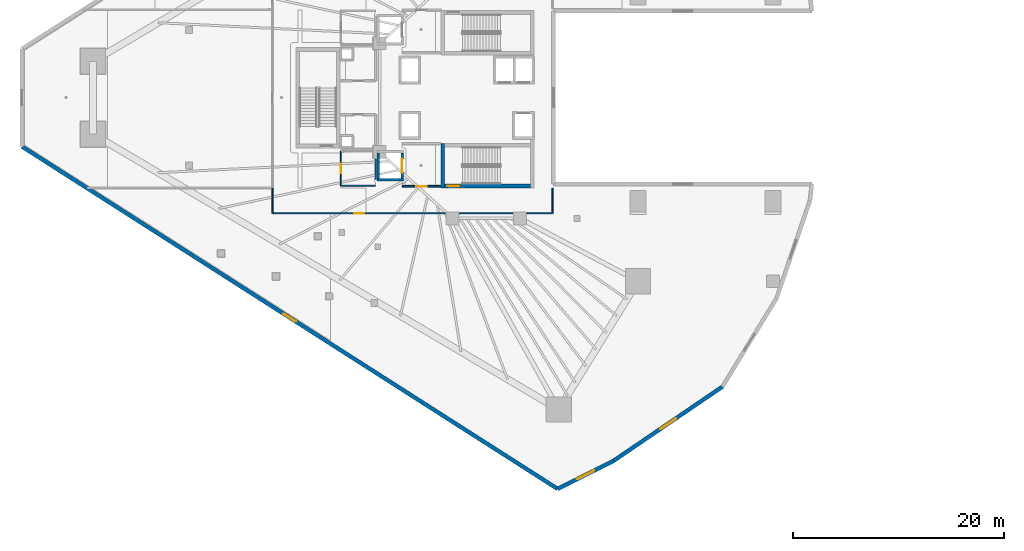
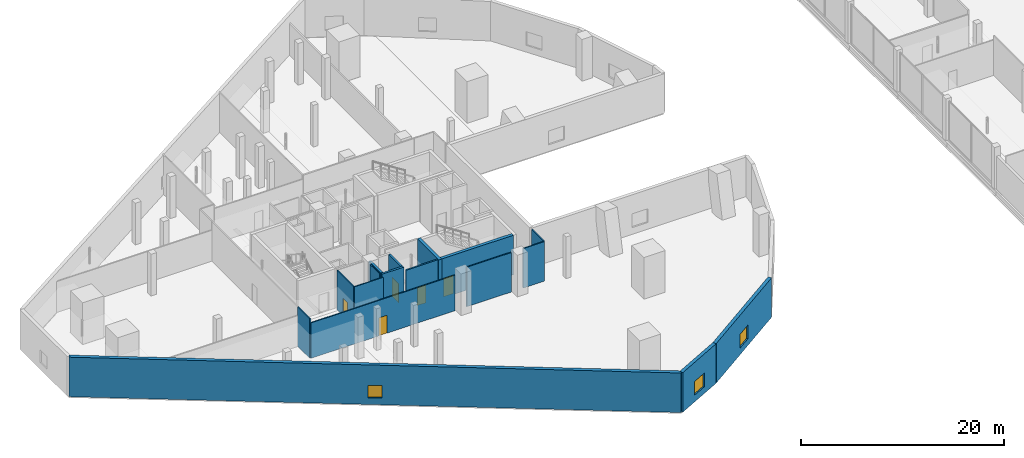
# One storey, part 26 of 46: 17 walls, 5 doors, 3 windows, 8 openings.
"""IFC4 building model written with IfcOpenShell, lengths in metres."""

from ifc_helpers import new_model, si_unit, direction, frame, frame_2d, origin, place, context, subcontext, project, spatial, rectangle, extrude, material, layer, layer_set, type_object, element, fill, save


model = new_model("IFC4")

# Units and contexts
model_context = context("Model", 3, precision=1e-05, world=origin(), true_north=direction((0.0, 1.0)))
body_context = subcontext(model_context, "Body", "Model", "MODEL_VIEW")
ifc_project = project(units=[si_unit("LENGTHUNIT", "METRE"), si_unit("AREAUNIT", "SQUARE_METRE"), si_unit("VOLUMEUNIT", "CUBIC_METRE"), si_unit("PLANEANGLEUNIT", "RADIAN"), si_unit("MASSUNIT", "GRAM", prefix="KILO")], contexts=[model_context])

# Site, building, storey
site_placement = place(None, origin())
site = spatial("IfcSite", under=ifc_project, at=site_placement, CompositionType="ELEMENT")
building_placement = place(site_placement, origin())
building = spatial("IfcBuilding", under=site, at=building_placement, Name="Qorvath Tower", CompositionType="ELEMENT")
storey_placement = place(building_placement, frame((0.0, 0.0, 17.0)))
storey = spatial("IfcBuildingStorey", under=building, at=storey_placement, Name="L03", CompositionType="ELEMENT", Elevation=17.0)

# Wall, opening, door
ifc_material_1 = material(Name="Gypsum shaftliner on steel studs", Category="steel")
ifc_layer_1 = layer(ifc_material_1, 0.179931640625)
ifc_layer_set_1 = layer_set([ifc_layer_1], Name="FW-LOBBY")
wall_type_1 = type_object("IfcWallType", Name="FW-LOBBY", PredefinedType="PARTITIONING", material=ifc_layer_set_1)
wall_1_placement = place(storey_placement, frame((-28.35498046875, -8.39990234375, 0.0), z_axis=(0.0, 0.0, 1.0), x_axis=(1.0, 0.0, 0.0)))
wall_1 = element("IfcWall", 1, at=wall_1_placement, inside=storey, type_object=wall_type_1, Name="Interior Partition IW-T1-L03-003", PredefinedType="PARTITIONING", context=body_context, shape_type="SweptSolid", body=[
    extrude(rectangle(XDim=3.6220703125, YDim=0.179931640625, at=frame_2d((1.81103515625, 0.0))), origin(), (0.0, 0.0, 1.0), 4.739990234375),
])
opening_1_placement = place(wall_1_placement, frame((1.31103515625, 0.0, 0.0)))
opening_1 = element("IfcOpeningElement", 2, at=opening_1_placement, cuts=wall_1, Name="Opening D-T1-L03-12", PredefinedType="OPENING", context=body_context, shape_type="SweptSolid", body=[
    extrude(rectangle(XDim=1.0, YDim=2.14990234375, at=frame_2d((0.5, 1.074951171875))), frame((0.0, 0.10009765625, 0.0), z_axis=(0.0, -1.0, 0.0), x_axis=(1.0, 0.0, 0.0)), (0.0, 0.0, 1.0), 0.199951171875),
])
ifc_material_2 = material(Name="Painted galvanised hollow metal", Category="steel")
door_type_1 = type_object("IfcDoorType", Name="FD-60", OperationType="NOTDEFINED", PredefinedType="DOOR", material=ifc_material_2)
door_1_placement = place(opening_1_placement, origin())
door_1 = element("IfcDoor", 3, at=door_1_placement, inside=storey, type_object=door_type_1, Name="Lobby Fire Service Elevator South Door D-T1-L03-12", OperationType="SINGLE_SWING_LEFT", OverallHeight=2.14990234375, OverallWidth=1.0, PredefinedType="DOOR", context=body_context, shape_type="SweptSolid", body=[
    extrude(rectangle(XDim=1.0, YDim=2.14990234375, at=frame_2d((0.5, 1.074951171875))), frame((0.0, 0.02490234375, 0.0), z_axis=(0.0, -1.0, 0.0), x_axis=(1.0, 0.0, 0.0)), (0.0, 0.0, 1.0), 0.050048828125),
])
fill(opening_1, door_1)

# Walls
ifc_material_3 = material(Name="Gypsum board on metal studs with mineral wool", Category="gypsum")
ifc_layer_2 = layer(ifc_material_3, 0.125)
ifc_layer_set_2 = layer_set([ifc_layer_2], Name="IW-PART-125")
wall_type_2 = type_object("IfcWallType", Name="IW-PART-125", PredefinedType="PARTITIONING", material=ifc_layer_set_2)
wall_2_placement = place(storey_placement, frame((-14.112060546875, -10.93310546875, 0.0), z_axis=(0.0, 0.0, 1.0), x_axis=(0.0, 1.0, 0.0)))
element("IfcWall", 4, at=wall_2_placement, inside=storey, type_object=wall_type_2, Name="Interior Partition IW-T1-L03-029", PredefinedType="PARTITIONING", context=body_context, shape_type="SweptSolid", body=[
    extrude(rectangle(XDim=2.358154296875, YDim=0.125, at=frame_2d((1.17919921875, 0.0))), origin(), (0.0, 0.0, 1.0), 4.739990234375),
])
wall_3_placement = place(storey_placement, frame((-14.13720703125, -10.9580078125, 0.0), z_axis=(0.0, 0.0, 1.0), x_axis=(-1.0, 0.0, 0.0)))
element("IfcWall", 5, at=wall_3_placement, inside=storey, type_object=wall_type_2, Name="Interior Partition IW-T1-L03-030", PredefinedType="PARTITIONING", context=body_context, shape_type="SweptSolid", body=[
    extrude(rectangle(XDim=2.397705078125, YDim=0.125, at=frame_2d((1.19873046875, 0.0))), origin(), (0.0, 0.0, 1.0), 4.739990234375),
])
wall_4_placement = place(storey_placement, frame((-17.864990234375, -10.9580078125, 0.0), z_axis=(0.0, 0.0, 1.0), x_axis=(-1.0, 0.0, 0.0)))
element("IfcWall", 6, at=wall_4_placement, inside=storey, type_object=wall_type_2, Name="Interior Partition IW-T1-L03-031", PredefinedType="PARTITIONING", context=body_context, shape_type="SweptSolid", body=[
    extrude(rectangle(XDim=5.070068359375, YDim=0.125, at=frame_2d((2.53515625, 0.0))), origin(), (0.0, 0.0, 1.0), 4.739990234375),
])

# Wall, opening, door
wall_5_placement = place(storey_placement, frame((-24.264892578125, -10.9580078125, 0.0), z_axis=(0.0, 0.0, 1.0), x_axis=(-1.0, 0.0, 0.0)))
wall_5 = element("IfcWall", 7, at=wall_5_placement, inside=storey, type_object=wall_type_2, Name="Interior Partition IW-T1-L03-032", PredefinedType="PARTITIONING", context=body_context, shape_type="SweptSolid", body=[
    extrude(rectangle(XDim=16.3681640625, YDim=0.125, at=frame_2d((8.18408203125, 0.0))), origin(), (0.0, 0.0, 1.0), 4.2529296875),
])
opening_2_placement = place(wall_5_placement, frame((7.708984375, 0.0, 0.0)))
opening_2 = element("IfcOpeningElement", 8, at=opening_2_placement, cuts=wall_5, Name="Opening D-T1-L03-09", PredefinedType="OPENING", context=body_context, shape_type="SweptSolid", body=[
    extrude(rectangle(XDim=0.949951171875, YDim=2.14990234375, at=frame_2d((0.47509765625, 1.074951171875))), frame((0.0, 0.072509765625, 0.0), z_axis=(0.0, -1.0, 0.0), x_axis=(1.0, 0.0, 0.0)), (0.0, 0.0, 1.0), 0.14501953125),
])
ifc_material_4 = material(Name="Solid-core American white oak veneer", Category="wood")
door_type_2 = type_object("IfcDoorType", Name="D-01", OperationType="NOTDEFINED", PredefinedType="DOOR", material=ifc_material_4)
door_2_placement = place(opening_2_placement, origin())
door_2 = element("IfcDoor", 9, at=door_2_placement, inside=storey, type_object=door_type_2, Name="L03-05 Design Pin-Up Atelier Door D-T1-L03-09", OperationType="SINGLE_SWING_RIGHT", OverallHeight=2.14990234375, OverallWidth=0.949951171875, PredefinedType="DOOR", context=body_context, shape_type="SweptSolid", body=[
    extrude(rectangle(XDim=0.949951171875, YDim=2.14990234375, at=frame_2d((0.47509765625, 1.074951171875))), frame((0.0, 0.02490234375, 0.0), z_axis=(0.0, -1.0, 0.0), x_axis=(1.0, 0.0, 0.0)), (0.0, 0.0, 1.0), 0.050048828125),
])
fill(opening_2, door_2)

# Walls
wall_6_placement = place(storey_placement, frame((-40.657958984375, -8.574951171875, 0.0), z_axis=(0.0, 0.0, 1.0), x_axis=(0.0, -1.0, 0.0)))
element("IfcWall", 10, at=wall_6_placement, inside=storey, type_object=wall_type_2, Name="Interior Partition IW-T1-L03-033", PredefinedType="PARTITIONING", context=body_context, shape_type="SweptSolid", body=[
    extrude(rectangle(XDim=2.358154296875, YDim=0.125, at=frame_2d((1.17919921875, 0.0))), origin(), (0.0, 0.0, 1.0), 4.739990234375),
])
ifc_material_5 = material(Name="Moisture-resistant cement board on metal studs", Category="gypsum")
ifc_layer_3 = layer(ifc_material_5, 0.110107421875)
ifc_layer_set_3 = layer_set([ifc_layer_3], Name="IW-WC-110")
wall_type_3 = type_object("IfcWallType", Name="IW-WC-110", PredefinedType="PARTITIONING", material=ifc_layer_set_3)
wall_7_placement = place(storey_placement, frame((-34.15478515625, -8.35009765625, 0.0), z_axis=(0.0, 0.0, 1.0), x_axis=(1.0, 0.0, 0.0)))
element("IfcWall", 11, at=wall_7_placement, inside=storey, type_object=wall_type_3, Name="Interior Partition IW-T1-L03-009", PredefinedType="PARTITIONING", context=body_context, shape_type="SweptSolid", body=[
    extrude(rectangle(XDim=3.25, YDim=0.110107421875, at=frame_2d((1.625, 0.0))), origin(), (0.0, 0.0, 1.0), 4.739990234375),
])
wall_8_placement = place(storey_placement, frame((-30.8798828125, -7.742919921875, 0.0), z_axis=(0.0, 0.0, 1.0), x_axis=(0.0, 1.0, 0.0)))
element("IfcWall", 12, at=wall_8_placement, inside=storey, type_object=wall_type_3, Name="Interior Partition IW-T1-L03-010", PredefinedType="PARTITIONING", context=body_context, shape_type="SweptSolid", body=[
    extrude(rectangle(XDim=1.927978515625, YDim=0.110107421875, at=frame_2d((0.9638671875, 0.0))), origin(), (0.0, 0.0, 1.0), 4.739990234375),
])

# Wall, opening, door
wall_9_placement = place(storey_placement, frame((-34.179931640625, -5.074951171875, 0.0), z_axis=(0.0, 0.0, 1.0), x_axis=(0.0, -1.0, 0.0)))
wall_9 = element("IfcWall", 13, at=wall_9_placement, inside=storey, type_object=wall_type_3, Name="Interior Partition IW-T1-L03-012", PredefinedType="PARTITIONING", context=body_context, shape_type="SweptSolid", body=[
    extrude(rectangle(XDim=3.250244140625, YDim=0.110107421875, at=frame_2d((1.625, 0.0))), origin(), (0.0, 0.0, 1.0), 4.739990234375),
])
opening_3_placement = place(wall_9_placement, frame((1.18505859375, 0.0, 0.0)))
opening_3 = element("IfcOpeningElement", 14, at=opening_3_placement, cuts=wall_9, Name="Opening D-T1-L03-02", PredefinedType="OPENING", context=body_context, shape_type="SweptSolid", body=[
    extrude(rectangle(XDim=0.8798828125, YDim=2.10009765625, at=frame_2d((0.43994140625, 1.050048828125))), frame((0.0, 0.06494140625, 0.0), z_axis=(0.0, -1.0, 0.0), x_axis=(1.0, 0.0, 0.0)), (0.0, 0.0, 1.0), 0.130126953125),
])
ifc_material_6 = material(Name="Solid-core oak with acoustic drop seal", Category="wood")
door_type_3 = type_object("IfcDoorType", Name="D-02", OperationType="NOTDEFINED", PredefinedType="DOOR", material=ifc_material_6)
door_3_placement = place(opening_3_placement, origin())
door_3 = element("IfcDoor", 15, at=door_3_placement, inside=storey, type_object=door_type_3, Name="Accessible WC South L03 Door D-T1-L03-02", OperationType="SINGLE_SWING_LEFT", OverallHeight=2.10009765625, OverallWidth=0.8798828125, PredefinedType="DOOR", context=body_context, shape_type="SweptSolid", body=[
    extrude(rectangle(XDim=0.8798828125, YDim=2.10009765625, at=frame_2d((0.43994140625, 1.050048828125))), frame((0.0, 0.02490234375, 0.0), z_axis=(0.0, -1.0, 0.0), x_axis=(1.0, 0.0, 0.0)), (0.0, 0.0, 1.0), 0.050048828125),
])
fill(opening_3, door_3)

# Walls
ifc_material_7 = material(Name="Concrete C60/75", Category="concrete")
ifc_layer_4 = layer(ifc_material_7, 0.260009765625)
ifc_layer_set_4 = layer_set([ifc_layer_4], Name="SW-SHAFT")
wall_type_4 = type_object("IfcWallType", Name="SW-SHAFT", PredefinedType="SHEAR", material=ifc_layer_set_4)
wall_10_placement = place(storey_placement, frame((-28.260009765625, -7.77001953125, 0.0), z_axis=(0.0, 0.0, 1.0), x_axis=(-1.0, 0.0, 0.0)))
element("IfcWall", 16, at=wall_10_placement, inside=storey, type_object=wall_type_4, Name="Hoistway Wall FSAE-2 L03 S", PredefinedType="SHEAR", context=body_context, shape_type="SweptSolid", body=[
    extrude(rectangle(XDim=2.47998046875, YDim=0.239990234375, at=frame_2d((1.239990234375, 0.0))), origin(), (0.0, 0.0, 1.0), 4.739990234375),
])
wall_11_placement = place(storey_placement, frame((-30.6201171875, -7.637939453125, 0.0), z_axis=(0.0, 0.0, 1.0), x_axis=(0.0, 1.0, 0.0)))
element("IfcWall", 17, at=wall_11_placement, inside=storey, type_object=wall_type_4, Name="Hoistway Wall FSAE-2 L03 W", PredefinedType="SHEAR", context=body_context, shape_type="SweptSolid", body=[
    extrude(rectangle(XDim=2.3759765625, YDim=0.239990234375, at=frame_2d((1.18798828125, 0.0))), origin(), (0.0, 0.0, 1.0), 4.739990234375),
])

# Wall, opening, door
wall_12_placement = place(storey_placement, frame((-28.3798828125, -5.261962890625, 0.0), z_axis=(0.0, 0.0, 1.0), x_axis=(0.0, -1.0, 0.0)))
wall_12 = element("IfcWall", 18, at=wall_12_placement, inside=storey, type_object=wall_type_4, Name="Hoistway Wall FSAE-2 L03 E", PredefinedType="SHEAR", context=body_context, shape_type="SweptSolid", body=[
    extrude(rectangle(XDim=2.3759765625, YDim=0.239990234375, at=frame_2d((1.18798828125, 0.0))), origin(), (0.0, 0.0, 1.0), 4.739990234375),
])
opening_4_placement = place(wall_12_placement, frame((0.5380859375, 0.0, 0.0)))
opening_4 = element("IfcOpeningElement", 19, at=opening_4_placement, cuts=wall_12, Name="Opening LD-FSAE-2-L03", PredefinedType="OPENING", context=body_context, shape_type="SweptSolid", body=[
    extrude(rectangle(XDim=1.300048828125, YDim=2.300048828125, at=frame_2d((0.64990234375, 1.14990234375))), frame((0.0, 0.1298828125, 0.0), z_axis=(0.0, -1.0, 0.0), x_axis=(1.0, 0.0, 0.0)), (0.0, 0.0, 1.0), 0.260009765625),
])
ifc_material_8 = material(Name="Brushed stainless steel AISI 316", Category="steel")
door_type_4 = type_object("IfcDoorType", Name="LD-02", OperationType="NOTDEFINED", PredefinedType="DOOR", material=ifc_material_8)
door_4_placement = place(opening_4_placement, origin())
door_4 = element("IfcDoor", 20, at=door_4_placement, inside=storey, type_object=door_type_4, Name="Elevator Landing Sliding Door LD-FSAE-2-L03", OperationType="DOUBLE_DOOR_SLIDING", OverallHeight=2.300048828125, OverallWidth=1.300048828125, PredefinedType="DOOR", context=body_context, shape_type="SweptSolid", body=[
    extrude(rectangle(XDim=1.300048828125, YDim=2.300048828125, at=frame_2d((0.64990234375, 1.14990234375))), frame((0.0, 0.02490234375, 0.0), z_axis=(0.0, -1.0, 0.0), x_axis=(1.0, 0.0, 0.0)), (0.0, 0.0, 1.0), 0.050048828125),
])
fill(opening_4, door_4)

# Wall
ifc_material_9 = material(Name="Concrete C60/75", Category="concrete")
ifc_layer_5 = layer(ifc_material_9, 0.35009765625)
ifc_layer_set_5 = layer_set([ifc_layer_5], Name="SW-STAIR")
wall_type_5 = type_object("IfcWallType", Name="SW-STAIR", PredefinedType="SHEAR", material=ifc_layer_set_5)
wall_13_placement = place(storey_placement, frame((-24.52490234375, -4.340087890625, 0.0), z_axis=(0.0, 0.0, 1.0), x_axis=(0.0, -1.0, 0.0)))
element("IfcWall", 21, at=wall_13_placement, inside=storey, type_object=wall_type_5, Name="Stair TS2 Shear Wall L03 NEAR", PredefinedType="SHEAR", context=body_context, shape_type="SweptSolid", body=[
    extrude(rectangle(XDim=4.2099609375, YDim=0.35009765625, at=frame_2d((2.10498046875, 0.0))), origin(), (0.0, 0.0, 1.0), 4.739990234375),
])

# Wall, opening, door
wall_14_placement = place(storey_placement, frame((-24.3349609375, -8.375, 0.0), z_axis=(0.0, 0.0, 1.0), x_axis=(1.0, 0.0, 0.0)))
wall_14 = element("IfcWall", 22, at=wall_14_placement, inside=storey, type_object=wall_type_5, Name="Stair TS2 Shear Wall L03 LEFT", PredefinedType="SHEAR", context=body_context, shape_type="SweptSolid", body=[
    extrude(rectangle(XDim=8.119873046875, YDim=0.35009765625, at=frame_2d((4.06005859375, 0.0))), origin(), (0.0, 0.0, 1.0), 4.739990234375),
])
opening_5_placement = place(wall_14_placement, frame((0.280029296875, 0.0, 0.0)))
opening_5 = element("IfcOpeningElement", 23, at=opening_5_placement, cuts=wall_14, Name="Opening D-TS2-L03", PredefinedType="OPENING", context=body_context, shape_type="SweptSolid", body=[
    extrude(rectangle(XDim=1.10009765625, YDim=2.199951171875, at=frame_2d((0.550048828125, 1.10009765625))), frame((0.0, 0.18505859375, 0.0), z_axis=(0.0, -1.0, 0.0), x_axis=(1.0, 0.0, 0.0)), (0.0, 0.0, 1.0), 0.3701171875),
])
ifc_material_10 = material(Name="Painted galvanised hollow metal", Category="steel")
door_type_5 = type_object("IfcDoorType", Name="FD-90", OperationType="NOTDEFINED", PredefinedType="DOOR", material=ifc_material_10)
door_5_placement = place(opening_5_placement, origin())
door_5 = element("IfcDoor", 24, at=door_5_placement, inside=storey, type_object=door_type_5, Name="Stair TS2 Fire Door L03", OperationType="SINGLE_SWING_RIGHT", OverallHeight=2.199951171875, OverallWidth=1.10009765625, PredefinedType="DOOR", context=body_context, shape_type="SweptSolid", body=[
    extrude(rectangle(XDim=1.10009765625, YDim=2.199951171875, at=frame_2d((0.550048828125, 1.10009765625))), frame((0.0, 0.02490234375, 0.0), z_axis=(0.0, -1.0, 0.0), x_axis=(1.0, 0.0, 0.0)), (0.0, 0.0, 1.0), 0.050048828125),
])
fill(opening_5, door_5)

# Wall, opening, window
ifc_material_11 = material(Name="Precast concrete C50/60", Category="concrete")
ifc_layer_6 = layer(ifc_material_11, 0.3798828125)
ifc_layer_set_6 = layer_set([ifc_layer_6], Name="WL-EW-POD-380")
wall_type_6 = type_object("IfcWallType", Name="WL-EW-POD-380", PredefinedType="SOLIDWALL", material=ifc_layer_set_6)
wall_15_placement = place(storey_placement, frame((-13.63525390625, -37.094482421875, 0.0), z_axis=(0.0, 0.0, 1.0), x_axis=(-0.842602364841, 0.538536214905, 0.0)))
wall_15 = element("IfcWall", 25, at=wall_15_placement, inside=storey, type_object=wall_type_6, Name="Tower Podium Precast Facade Wall L03-11.1", PredefinedType="SOLIDWALL", context=body_context, shape_type="SweptSolid", body=[
    extrude(rectangle(XDim=60.270263671875, YDim=0.3798828125, at=frame_2d((30.13525390625, 0.0))), origin(), (0.0, 0.0, 1.0), 4.739990234375),
])
opening_6_placement = place(wall_15_placement, frame((29.43505859375, 0.0, 0.800048828125)))
opening_6 = element("IfcOpeningElement", 26, at=opening_6_placement, cuts=wall_15, Name="Opening WN-L03-038", PredefinedType="OPENING", context=body_context, shape_type="SweptSolid", body=[
    extrude(rectangle(XDim=1.39990234375, YDim=1.5, at=frame_2d((0.699951171875, 0.75))), frame((0.0, 0.199951171875, 0.0), z_axis=(0.0, -1.0, 0.0), x_axis=(1.0, 0.0, 0.0)), (0.0, 0.0, 1.0), 0.39990234375),
])
ifc_material_12 = material(Name="Thermally broken aluminium and triple low-E glass", Category="aluminium")
window_type_1 = type_object("IfcWindowType", Name="WN-3", PartitioningType="SINGLE_PANEL", PredefinedType="WINDOW", material=ifc_material_12)
window_1_placement = place(opening_6_placement, origin())
window_1 = element("IfcWindow", 27, at=window_1_placement, inside=storey, type_object=window_type_1, Name="Podium Punched Window L03-038", OverallHeight=1.5, OverallWidth=1.39990234375, PartitioningType="SINGLE_PANEL", PredefinedType="WINDOW", context=body_context, shape_type="SweptSolid", body=[
    extrude(rectangle(XDim=1.39990234375, YDim=1.5, at=frame_2d((0.699951171875, 0.75))), frame((0.0, 0.030029296875, 0.0), z_axis=(0.0, -1.0, 0.0), x_axis=(1.0, 0.0, 0.0)), (0.0, 0.0, 1.0), 0.06005859375),
])
fill(opening_6, window_1)

wall_16_placement = place(storey_placement, frame((-8.3359375, -34.44482421875, 0.0), z_axis=(0.0, 0.0, 1.0), x_axis=(-0.894427191, -0.4472135955, 0.0)))
wall_16 = element("IfcWall", 28, at=wall_16_placement, inside=storey, type_object=wall_type_6, Name="Tower Podium Precast Facade Wall L03-12.1", PredefinedType="SOLIDWALL", context=body_context, shape_type="SweptSolid", body=[
    extrude(rectangle(XDim=5.9248046875, YDim=0.3798828125, at=frame_2d((2.96240234375, 0.0))), origin(), (0.0, 0.0, 1.0), 4.739990234375),
])
opening_7_placement = place(wall_16_placement, frame((2.0625, 0.0, 0.800048828125)))
opening_7 = element("IfcOpeningElement", 29, at=opening_7_placement, cuts=wall_16, Name="Opening WN-L03-039", PredefinedType="OPENING", context=body_context, shape_type="SweptSolid", body=[
    extrude(rectangle(XDim=1.800048828125, YDim=1.64990234375, at=frame_2d((0.89990234375, 0.824951171875))), frame((0.0, 0.199951171875, 0.0), z_axis=(0.0, -1.0, 0.0), x_axis=(1.0, 0.0, 0.0)), (0.0, 0.0, 1.0), 0.39990234375),
])
ifc_material_13 = material(Name="Thermally broken aluminium and triple low-E glass", Category="aluminium")
window_type_2 = type_object("IfcWindowType", Name="WN-1", PartitioningType="SINGLE_PANEL", PredefinedType="WINDOW", material=ifc_material_13)
window_2_placement = place(opening_7_placement, origin())
window_2 = element("IfcWindow", 30, at=window_2_placement, inside=storey, type_object=window_type_2, Name="Podium Punched Window L03-039", OverallHeight=1.64990234375, OverallWidth=1.800048828125, PartitioningType="SINGLE_PANEL", PredefinedType="WINDOW", context=body_context, shape_type="SweptSolid", body=[
    extrude(rectangle(XDim=1.800048828125, YDim=1.64990234375, at=frame_2d((0.89990234375, 0.824951171875))), frame((0.0, 0.030029296875, 0.0), z_axis=(0.0, -1.0, 0.0), x_axis=(1.0, 0.0, 0.0)), (0.0, 0.0, 1.0), 0.06005859375),
])
fill(opening_7, window_2)

wall_17_placement = place(storey_placement, frame((2.0205078125, -27.39501953125, 0.0), z_axis=(0.0, 0.0, 1.0), x_axis=(-0.826650936963, -0.562715050819, 0.0)))
wall_17 = element("IfcWall", 31, at=wall_17_placement, inside=storey, type_object=wall_type_6, Name="Tower Podium Precast Facade Wall L03-13.1", PredefinedType="SOLIDWALL", context=body_context, shape_type="SweptSolid", body=[
    extrude(rectangle(XDim=12.528076171875, YDim=0.3798828125, at=frame_2d((6.26416015625, 0.0))), origin(), (0.0, 0.0, 1.0), 4.739990234375),
])
opening_8_placement = place(wall_17_placement, frame((5.364013671875, 0.0, 0.800048828125)))
opening_8 = element("IfcOpeningElement", 32, at=opening_8_placement, cuts=wall_17, Name="Opening WN-L03-040", PredefinedType="OPENING", context=body_context, shape_type="SweptSolid", body=[
    extrude(rectangle(XDim=1.800048828125, YDim=1.64990234375, at=frame_2d((0.89990234375, 0.824951171875))), frame((0.0, 0.199951171875, 0.0), z_axis=(0.0, -1.0, 0.0), x_axis=(1.0, 0.0, 0.0)), (0.0, 0.0, 1.0), 0.39990234375),
])
window_3_placement = place(opening_8_placement, origin())
window_3 = element("IfcWindow", 33, at=window_3_placement, inside=storey, type_object=window_type_2, Name="Podium Punched Window L03-040", OverallHeight=1.64990234375, OverallWidth=1.800048828125, PartitioningType="SINGLE_PANEL", PredefinedType="WINDOW", context=body_context, shape_type="SweptSolid", body=[
    extrude(rectangle(XDim=1.800048828125, YDim=1.64990234375, at=frame_2d((0.89990234375, 0.824951171875))), frame((0.0, 0.030029296875, 0.0), z_axis=(0.0, -1.0, 0.0), x_axis=(1.0, 0.0, 0.0)), (0.0, 0.0, 1.0), 0.06005859375),
])
fill(opening_8, window_3)

save(model, "model.ifc")
